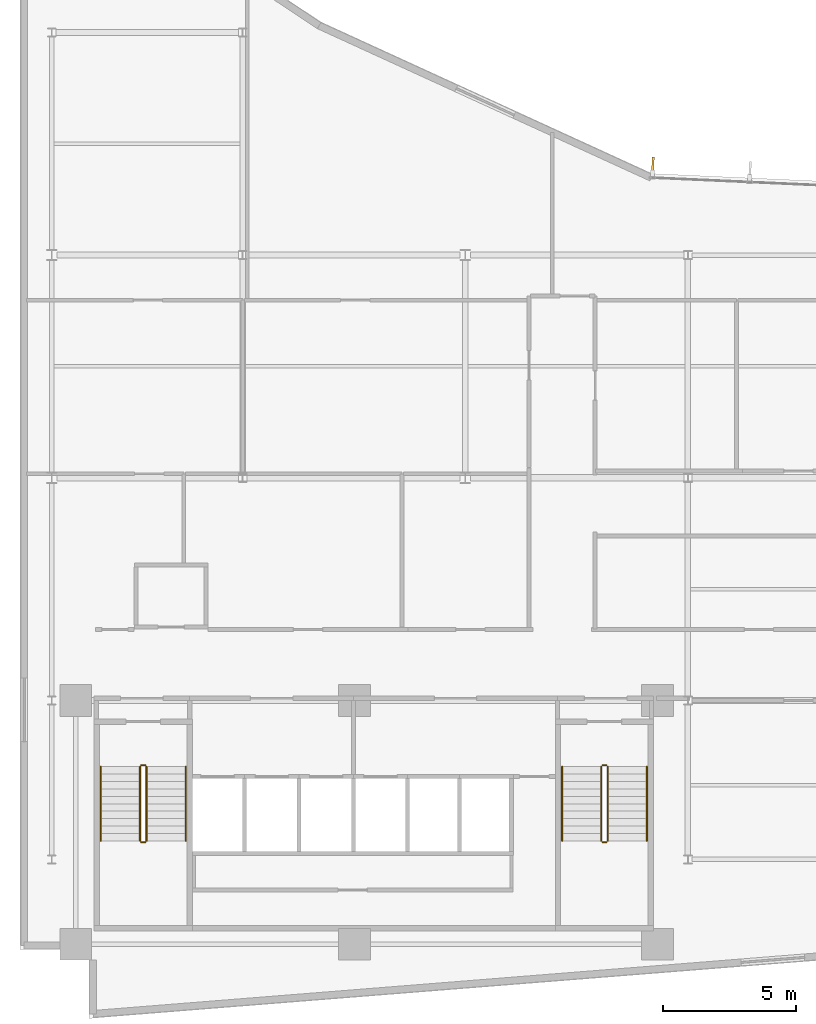
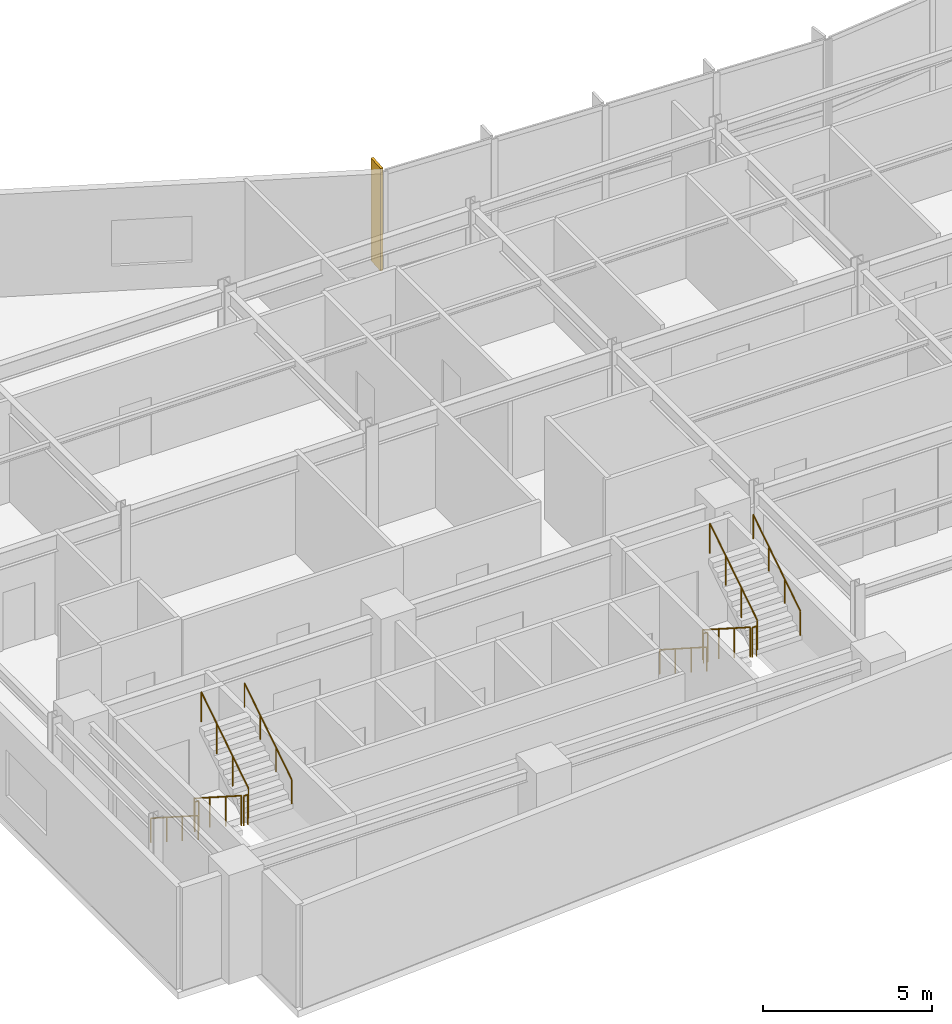
# One storey, part 13 of 17: 12 railings, 1 shading device.
"""IFC4 building model written with IfcOpenShell, lengths in metres."""

from ifc_helpers import new_model, si_unit, direction, frame, origin, origin_2d, place, context, subcontext, project, spatial, rectangle, circle, extrude, material, layer, layer_set, type_object, element, save


model = new_model("IFC4")

# Units and contexts
model_context = context("Model", 3, precision=1e-05, world=origin(), true_north=direction((0.0, 1.0)))
body_context = subcontext(model_context, "Body", "Model", "MODEL_VIEW")
ifc_project = project(units=[si_unit("LENGTHUNIT", "METRE"), si_unit("AREAUNIT", "SQUARE_METRE"), si_unit("VOLUMEUNIT", "CUBIC_METRE"), si_unit("PLANEANGLEUNIT", "RADIAN"), si_unit("MASSUNIT", "GRAM", prefix="KILO")], contexts=[model_context])

# Site, building, storey
site_placement = place(None, origin())
site = spatial("IfcSite", under=ifc_project, at=site_placement, CompositionType="ELEMENT")
building_placement = place(site_placement, origin())
building = spatial("IfcBuilding", under=site, at=building_placement, Name="Varnakote Quay Hospital", CompositionType="ELEMENT")
storey_placement = place(building_placement, frame((0.0, 0.0, 134.949951171875)))
storey = spatial("IfcBuildingStorey", under=building, at=storey_placement, Name="L33", CompositionType="ELEMENT", Elevation=134.949951171875)

# Railings
ifc_material_1 = material(Name="Brushed stainless steel balustrade", Category="steel")
railing_type_1 = type_object("IfcRailingType", Name="RLG-STAIR-GUARD-1150", PredefinedType="GUARDRAIL", material=ifc_material_1)
railing_1_placement = place(storey_placement, frame((4.530029296875, 9.5, 0.1796875)))
element("IfcRailing", 1, at=railing_1_placement, inside=storey, type_object=railing_type_1, Name="L33 ST-01 stair guard 1", PredefinedType="GUARDRAIL", context=body_context, shape_type="SweptSolid", body=[
    extrude(circle(Radius=0.02392578125, at=origin_2d()), frame((0.0, 0.0, 1.076171875), z_axis=(0.0, -0.841809871826, 0.539774156196), x_axis=(1.0, 0.0, 0.0)), (0.0, 0.0, 1.0), 3.326171875),
    extrude(circle(Radius=0.02099609375, at=origin_2d()), origin(), (0.0, 0.0, 1.0), 1.052001953125),
    extrude(circle(Radius=0.02099609375, at=origin_2d()), frame((0.0, -0.933349609375, 0.598388671875)), (0.0, 0.0, 1.0), 1.052001953125),
    extrude(circle(Radius=0.02099609375, at=origin_2d()), frame((0.0, -1.86669921875, 1.197021484375)), (0.0, 0.0, 1.0), 1.052001953125),
    extrude(circle(Radius=0.02099609375, at=origin_2d()), frame((0.0, -2.800048828125, 1.79541015625)), (0.0, 0.0, 1.0), 1.052001953125),
])
railing_2_placement = place(storey_placement, frame((4.580078125, 6.64990234375, 1.97509765625)))
element("IfcRailing", 2, at=railing_2_placement, inside=storey, type_object=railing_type_1, Name="L33 ST-01 stair guard 2", PredefinedType="GUARDRAIL", context=body_context, shape_type="SweptSolid", body=[
    extrude(circle(Radius=0.02392578125, at=origin_2d()), frame((0.0, 0.0, 1.076171875), z_axis=(1.0, 0.0, 0.0), x_axis=(0.0, 1.0, 0.0)), (0.0, 0.0, 1.0), 0.139892578125),
    extrude(circle(Radius=0.02099609375, at=origin_2d()), origin(), (0.0, 0.0, 1.0), 1.052001953125),
    extrude(circle(Radius=0.02099609375, at=origin_2d()), frame((0.139892578125, 0.0, 0.0)), (0.0, 0.0, 1.0), 1.052001953125),
])
railing_3_placement = place(storey_placement, frame((4.77001953125, 6.699951171875, 2.154541015625)))
element("IfcRailing", 3, at=railing_3_placement, inside=storey, type_object=railing_type_1, Name="L33 ST-01 stair guard 3", PredefinedType="GUARDRAIL", context=body_context, shape_type="SweptSolid", body=[
    extrude(circle(Radius=0.02392578125, at=origin_2d()), frame((0.0, 0.0, 1.076171875), z_axis=(0.0, 0.841809871826, 0.539774156196), x_axis=(-1.0, 0.0, 0.0)), (0.0, 0.0, 1.0), 3.326171875),
    extrude(circle(Radius=0.02099609375, at=origin_2d()), origin(), (0.0, 0.0, 1.0), 1.052001953125),
    extrude(circle(Radius=0.02099609375, at=origin_2d()), frame((0.0, 0.933349609375, 0.598388671875)), (0.0, 0.0, 1.0), 1.052001953125),
    extrude(circle(Radius=0.02099609375, at=origin_2d()), frame((0.0, 1.86669921875, 1.197021484375)), (0.0, 0.0, 1.0), 1.052001953125),
    extrude(circle(Radius=0.02099609375, at=origin_2d()), frame((0.0, 2.800048828125, 1.79541015625)), (0.0, 0.0, 1.0), 1.052001953125),
])
railing_4_placement = place(storey_placement, frame((4.580078125, 9.550048828125, 0.0)))
element("IfcRailing", 4, at=railing_4_placement, inside=storey, type_object=railing_type_1, Name="L33 ST-01 stair guard 4", PredefinedType="GUARDRAIL", context=body_context, shape_type="SweptSolid", body=[
    extrude(circle(Radius=0.02392578125, at=origin_2d()), frame((0.0, 0.0, 1.076171875), z_axis=(1.0, 0.0, 0.0), x_axis=(0.0, 1.0, 0.0)), (0.0, 0.0, 1.0), 0.139892578125),
    extrude(circle(Radius=0.02099609375, at=origin_2d()), origin(), (0.0, 0.0, 1.0), 1.052001953125),
    extrude(circle(Radius=0.02099609375, at=origin_2d()), frame((0.139892578125, 0.0, 0.0)), (0.0, 0.0, 1.0), 1.052001953125),
])
railing_5_placement = place(storey_placement, frame((21.929931640625, 9.5, 0.1796875)))
element("IfcRailing", 5, at=railing_5_placement, inside=storey, type_object=railing_type_1, Name="L33 ST-02 stair guard 1", PredefinedType="GUARDRAIL", context=body_context, shape_type="SweptSolid", body=[
    extrude(circle(Radius=0.02392578125, at=origin_2d()), frame((0.0, 0.0, 1.076171875), z_axis=(0.0, -0.841809871826, 0.539774156196), x_axis=(1.0, 0.0, 0.0)), (0.0, 0.0, 1.0), 3.326171875),
    extrude(circle(Radius=0.02099609375, at=origin_2d()), origin(), (0.0, 0.0, 1.0), 1.052001953125),
    extrude(circle(Radius=0.02099609375, at=origin_2d()), frame((0.0, -0.933349609375, 0.598388671875)), (0.0, 0.0, 1.0), 1.052001953125),
    extrude(circle(Radius=0.02099609375, at=origin_2d()), frame((0.0, -1.86669921875, 1.197021484375)), (0.0, 0.0, 1.0), 1.052001953125),
    extrude(circle(Radius=0.02099609375, at=origin_2d()), frame((0.0, -2.800048828125, 1.79541015625)), (0.0, 0.0, 1.0), 1.052001953125),
])
railing_6_placement = place(storey_placement, frame((21.97998046875, 6.64990234375, 1.97509765625)))
element("IfcRailing", 6, at=railing_6_placement, inside=storey, type_object=railing_type_1, Name="L33 ST-02 stair guard 2", PredefinedType="GUARDRAIL", context=body_context, shape_type="SweptSolid", body=[
    extrude(circle(Radius=0.02392578125, at=origin_2d()), frame((0.0, 0.0, 1.076171875), z_axis=(1.0, 0.0, 0.0), x_axis=(0.0, 1.0, 0.0)), (0.0, 0.0, 1.0), 0.14013671875),
    extrude(circle(Radius=0.02099609375, at=origin_2d()), origin(), (0.0, 0.0, 1.0), 1.052001953125),
    extrude(circle(Radius=0.02099609375, at=origin_2d()), frame((0.14013671875, 0.0, 0.0)), (0.0, 0.0, 1.0), 1.052001953125),
])
railing_7_placement = place(storey_placement, frame((22.169921875, 6.699951171875, 2.154541015625)))
element("IfcRailing", 7, at=railing_7_placement, inside=storey, type_object=railing_type_1, Name="L33 ST-02 stair guard 3", PredefinedType="GUARDRAIL", context=body_context, shape_type="SweptSolid", body=[
    extrude(circle(Radius=0.02392578125, at=origin_2d()), frame((0.0, 0.0, 1.076171875), z_axis=(0.0, 0.841809871826, 0.539774156196), x_axis=(-1.0, 0.0, 0.0)), (0.0, 0.0, 1.0), 3.326171875),
    extrude(circle(Radius=0.02099609375, at=origin_2d()), origin(), (0.0, 0.0, 1.0), 1.052001953125),
    extrude(circle(Radius=0.02099609375, at=origin_2d()), frame((0.0, 0.933349609375, 0.598388671875)), (0.0, 0.0, 1.0), 1.052001953125),
    extrude(circle(Radius=0.02099609375, at=origin_2d()), frame((0.0, 1.86669921875, 1.197021484375)), (0.0, 0.0, 1.0), 1.052001953125),
    extrude(circle(Radius=0.02099609375, at=origin_2d()), frame((0.0, 2.800048828125, 1.79541015625)), (0.0, 0.0, 1.0), 1.052001953125),
])
railing_8_placement = place(storey_placement, frame((21.97998046875, 9.550048828125, 0.0)))
element("IfcRailing", 8, at=railing_8_placement, inside=storey, type_object=railing_type_1, Name="L33 ST-02 stair guard 4", PredefinedType="GUARDRAIL", context=body_context, shape_type="SweptSolid", body=[
    extrude(circle(Radius=0.02392578125, at=origin_2d()), frame((0.0, 0.0, 1.076171875), z_axis=(1.0, 0.0, 0.0), x_axis=(0.0, 1.0, 0.0)), (0.0, 0.0, 1.0), 0.14013671875),
    extrude(circle(Radius=0.02099609375, at=origin_2d()), origin(), (0.0, 0.0, 1.0), 1.052001953125),
    extrude(circle(Radius=0.02099609375, at=origin_2d()), frame((0.14013671875, 0.0, 0.0)), (0.0, 0.0, 1.0), 1.052001953125),
])
ifc_material_2 = material(Name="Brushed stainless steel handrail", Category="steel")
railing_type_2 = type_object("IfcRailingType", Name="RLG-STAIR-HND-920", PredefinedType="HANDRAIL", material=ifc_material_2)
railing_9_placement = place(storey_placement, frame((3.050048828125, 9.5, 0.1796875)))
element("IfcRailing", 9, at=railing_9_placement, inside=storey, type_object=railing_type_2, Name="L33 ST-01 stair handrail 1", PredefinedType="HANDRAIL", context=body_context, shape_type="SweptSolid", body=[
    extrude(circle(Radius=0.02392578125, at=origin_2d()), frame((0.0, 0.0, 0.8759765625), z_axis=(0.0, -0.841809871826, 0.539774156196), x_axis=(1.0, 0.0, 0.0)), (0.0, 0.0, 1.0), 3.326171875),
    extrude(circle(Radius=0.02099609375, at=origin_2d()), origin(), (0.0, 0.0, 1.0), 0.851806640625),
    extrude(circle(Radius=0.02099609375, at=origin_2d()), frame((0.0, -0.933349609375, 0.598388671875)), (0.0, 0.0, 1.0), 0.851806640625),
    extrude(circle(Radius=0.02099609375, at=origin_2d()), frame((0.0, -1.86669921875, 1.197021484375)), (0.0, 0.0, 1.0), 0.851806640625),
    extrude(circle(Radius=0.02099609375, at=origin_2d()), frame((0.0, -2.800048828125, 1.79541015625)), (0.0, 0.0, 1.0), 0.851806640625),
])
railing_10_placement = place(storey_placement, frame((6.25, 6.699951171875, 2.154541015625)))
element("IfcRailing", 10, at=railing_10_placement, inside=storey, type_object=railing_type_2, Name="L33 ST-01 stair handrail 2", PredefinedType="HANDRAIL", context=body_context, shape_type="SweptSolid", body=[
    extrude(circle(Radius=0.02392578125, at=origin_2d()), frame((0.0, 0.0, 0.8759765625), z_axis=(0.0, 0.841809871826, 0.539774156196), x_axis=(-1.0, 0.0, 0.0)), (0.0, 0.0, 1.0), 3.326171875),
    extrude(circle(Radius=0.02099609375, at=origin_2d()), origin(), (0.0, 0.0, 1.0), 0.851806640625),
    extrude(circle(Radius=0.02099609375, at=origin_2d()), frame((0.0, 0.933349609375, 0.598388671875)), (0.0, 0.0, 1.0), 0.851806640625),
    extrude(circle(Radius=0.02099609375, at=origin_2d()), frame((0.0, 1.86669921875, 1.197021484375)), (0.0, 0.0, 1.0), 0.851806640625),
    extrude(circle(Radius=0.02099609375, at=origin_2d()), frame((0.0, 2.800048828125, 1.79541015625)), (0.0, 0.0, 1.0), 0.851806640625),
])
railing_11_placement = place(storey_placement, frame((20.449951171875, 9.5, 0.1796875)))
element("IfcRailing", 11, at=railing_11_placement, inside=storey, type_object=railing_type_2, Name="L33 ST-02 stair handrail 1", PredefinedType="HANDRAIL", context=body_context, shape_type="SweptSolid", body=[
    extrude(circle(Radius=0.02392578125, at=origin_2d()), frame((0.0, 0.0, 0.8759765625), z_axis=(0.0, -0.841809871826, 0.539774156196), x_axis=(1.0, 0.0, 0.0)), (0.0, 0.0, 1.0), 3.326171875),
    extrude(circle(Radius=0.02099609375, at=origin_2d()), origin(), (0.0, 0.0, 1.0), 0.851806640625),
    extrude(circle(Radius=0.02099609375, at=origin_2d()), frame((0.0, -0.933349609375, 0.598388671875)), (0.0, 0.0, 1.0), 0.851806640625),
    extrude(circle(Radius=0.02099609375, at=origin_2d()), frame((0.0, -1.86669921875, 1.197021484375)), (0.0, 0.0, 1.0), 0.851806640625),
    extrude(circle(Radius=0.02099609375, at=origin_2d()), frame((0.0, -2.800048828125, 1.79541015625)), (0.0, 0.0, 1.0), 0.851806640625),
])
railing_12_placement = place(storey_placement, frame((23.64990234375, 6.699951171875, 2.154541015625)))
element("IfcRailing", 12, at=railing_12_placement, inside=storey, type_object=railing_type_2, Name="L33 ST-02 stair handrail 2", PredefinedType="HANDRAIL", context=body_context, shape_type="SweptSolid", body=[
    extrude(circle(Radius=0.02392578125, at=origin_2d()), frame((0.0, 0.0, 0.8759765625), z_axis=(0.0, 0.841809871826, 0.539774156196), x_axis=(-1.0, 0.0, 0.0)), (0.0, 0.0, 1.0), 3.326171875),
    extrude(circle(Radius=0.02099609375, at=origin_2d()), origin(), (0.0, 0.0, 1.0), 0.851806640625),
    extrude(circle(Radius=0.02099609375, at=origin_2d()), frame((0.0, 0.933349609375, 0.598388671875)), (0.0, 0.0, 1.0), 0.851806640625),
    extrude(circle(Radius=0.02099609375, at=origin_2d()), frame((0.0, 1.86669921875, 1.197021484375)), (0.0, 0.0, 1.0), 0.851806640625),
    extrude(circle(Radius=0.02099609375, at=origin_2d()), frame((0.0, 2.800048828125, 1.79541015625)), (0.0, 0.0, 1.0), 0.851806640625),
])

# Shading device
ifc_material_3 = material(Name="Anodised aluminium 6063-T6 Bronze", Category="aluminium")
ifc_layer = layer(ifc_material_3, 0.0849609375)
ifc_layer_set = layer_set([ifc_layer], Name="Anodised aluminium 6063-T6 Bronze")
shading_device_type = type_object("IfcShadingDeviceType", Name="SHD-BRONZE-FIN-620", PredefinedType="USERDEFINED", material=ifc_layer_set)
shading_device_placement = place(storey_placement, frame((23.876220703125, 32.183349609375, 0.0), z_axis=(0.0, 0.0, 1.0), x_axis=(-0.044839922168, -0.998994184858, 0.0)))
element("IfcShadingDevice", 13, at=shading_device_placement, inside=storey, type_object=shading_device_type, Name="L33 Anodised Bronze Vertical Shading FIN", ObjectType="FIN", PredefinedType="USERDEFINED", context=body_context, shape_type="SweptSolid", body=[
    extrude(rectangle(XDim=0.6201171875, YDim=0.0849609375, at=origin_2d()), origin(), (0.0, 0.0, 1.0), 3.7099609375),
])

save(model, "model.ifc")
